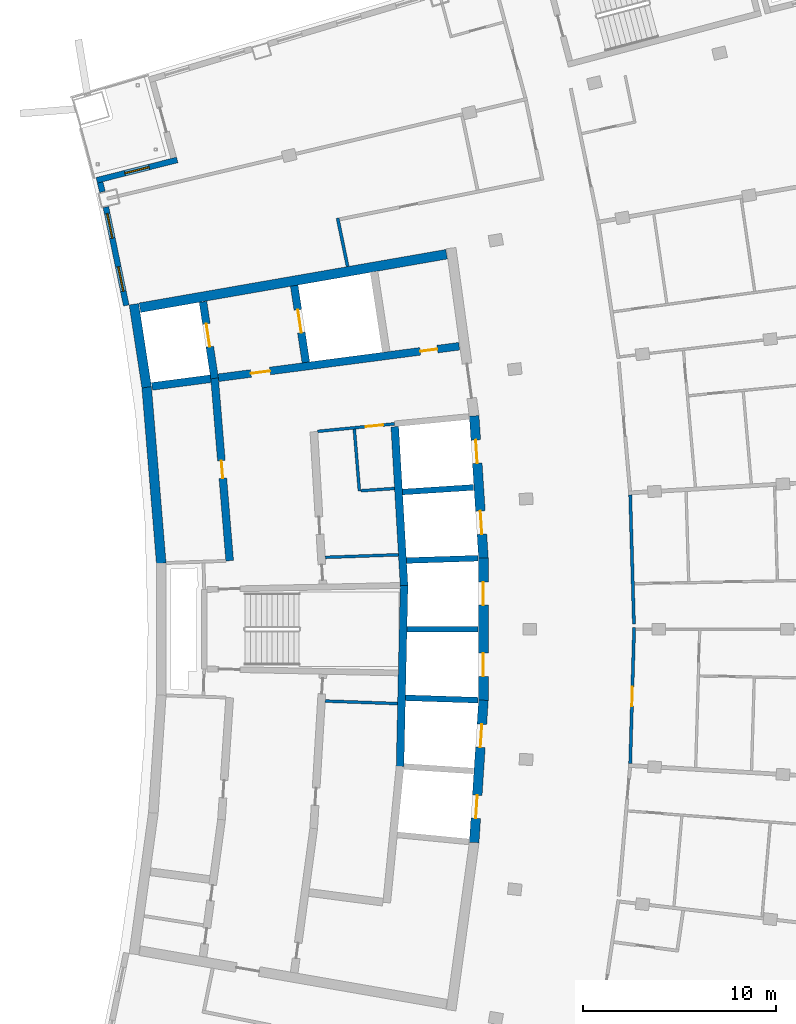
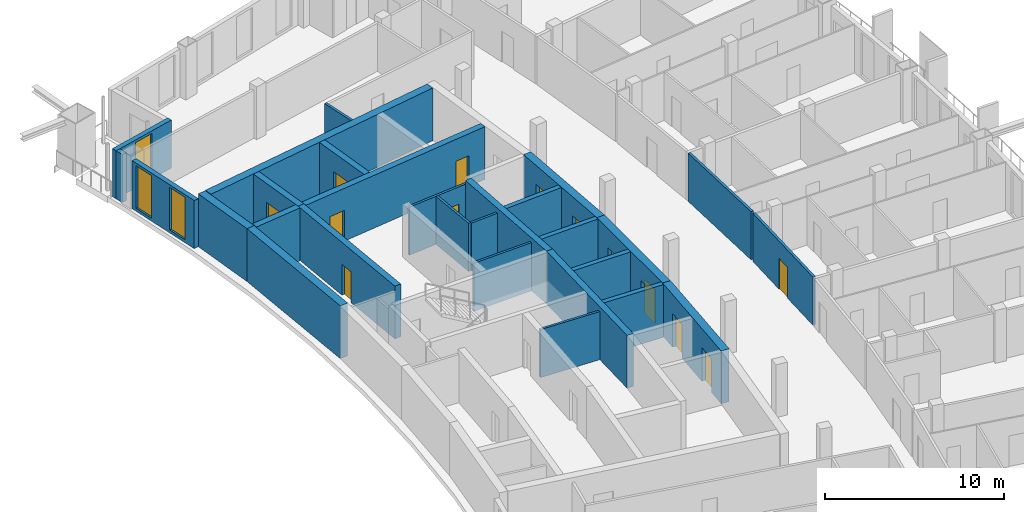
# One storey, part 8 of 15: 28 walls, 13 doors, 3 windows, 16 openings.
"""IFC4 building model written with IfcOpenShell, lengths in metres."""

from ifc_helpers import new_model, si_unit, direction, frame, frame_2d, origin, place, context, subcontext, project, spatial, rectangle, extrude, material, layer, layer_set, type_object, element, fill, save


model = new_model("IFC4")

# Units and contexts
model_context = context("Model", 3, precision=1e-05, world=origin(), true_north=direction((0.0, 1.0)))
body_context = subcontext(model_context, "Body", "Model", "MODEL_VIEW")
ifc_project = project(units=[si_unit("LENGTHUNIT", "METRE"), si_unit("AREAUNIT", "SQUARE_METRE"), si_unit("VOLUMEUNIT", "CUBIC_METRE"), si_unit("PLANEANGLEUNIT", "RADIAN"), si_unit("MASSUNIT", "GRAM", prefix="KILO")], contexts=[model_context])

# Site, building, storey
site_placement = place(None, origin())
site = spatial("IfcSite", under=ifc_project, at=site_placement, CompositionType="ELEMENT")
building_placement = place(site_placement, origin())
building = spatial("IfcBuilding", under=site, at=building_placement, Name="Alderwake Tower", CompositionType="ELEMENT")
storey_placement = place(building_placement, frame((0.0, 0.0, 285.199951171875)))
storey = spatial("IfcBuildingStorey", under=building, at=storey_placement, Name="L71", CompositionType="ELEMENT", Elevation=285.199951171875)

# Walls
ifc_material_1 = material(Name="Gypsum shaft wall system, rated")
ifc_layer_1 = layer(ifc_material_1, 0.14990234375)
ifc_layer_set_1 = layer_set([ifc_layer_1], Name="Core riser partition 150")
wall_type_1 = type_object("IfcWallType", Name="Core riser partition 150", PredefinedType="PARTITIONING", material=ifc_layer_set_1)
wall_1_placement = place(storey_placement, frame((25.1904296875, 57.276611328125, 0.0), z_axis=(0.0, 0.0, 1.0), x_axis=(0.99937350076, -0.035392173974, 0.0)))
element("IfcWall", 1, at=wall_1_placement, inside=storey, type_object=wall_type_1, Name="CW/L71/PR-37_+86", PredefinedType="PARTITIONING", context=body_context, shape_type="SweptSolid", body=[
    extrude(rectangle(XDim=3.752685546875, YDim=0.14990234375, at=frame_2d((1.87646484375, 0.0))), origin(), (0.0, 0.0, 1.0), 3.280029296875),
])
wall_2_placement = place(storey_placement, frame((25.191162109375, 64.723388671875, 0.0), z_axis=(0.0, 0.0, 1.0), x_axis=(0.999373627871, 0.035388584556, 0.0)))
element("IfcWall", 2, at=wall_2_placement, inside=storey, type_object=wall_type_1, Name="CW/L71/PR+37_+86", PredefinedType="PARTITIONING", context=body_context, shape_type="SweptSolid", body=[
    extrude(rectangle(XDim=3.79443359375, YDim=0.14990234375, at=frame_2d((1.897216796875, 0.0))), origin(), (0.0, 0.0, 1.0), 3.280029296875),
])
ifc_material_2 = material(Name="Gypsum shaft wall system, rated")
ifc_layer_2 = layer(ifc_material_2, 0.14990234375)
ifc_layer_set_2 = layer_set([ifc_layer_2], Name="Core room partition 150")
wall_type_2 = type_object("IfcWallType", Name="Core room partition 150", PredefinedType="PARTITIONING", material=ifc_layer_set_2)
wall_3_placement = place(storey_placement, frame((26.9599609375, 68.170654296875, 0.0), z_axis=(0.0, 0.0, 1.0), x_axis=(-0.081803626558, 0.996648466954, 0.0)))
element("IfcWall", 3, at=wall_3_placement, inside=storey, type_object=wall_type_2, Name="CW/L71/PA+107_+70", PredefinedType="PARTITIONING", context=body_context, shape_type="SweptSolid", body=[
    extrude(rectangle(XDim=3.205322265625, YDim=0.14990234375, at=frame_2d((1.6025390625, 0.0))), origin(), (0.0, 0.0, 1.0), 3.280029296875),
])
wall_4_placement = place(storey_placement, frame((27.034912109375, 68.175537109375, 0.0), z_axis=(0.0, 0.0, 1.0), x_axis=(0.997757929195, 0.066926188655, 0.0)))
element("IfcWall", 4, at=wall_4_placement, inside=storey, type_object=wall_type_2, Name="CW/L71/PR+70_+107", PredefinedType="PARTITIONING", context=body_context, shape_type="SweptSolid", body=[
    extrude(rectangle(XDim=1.7509765625, YDim=0.14990234375, at=frame_2d((0.87548828125, 0.0))), origin(), (0.0, 0.0, 1.0), 3.280029296875),
])

# Wall, opening, door
wall_5_placement = place(storey_placement, frame((28.780517578125, 71.644287109375, 0.0), z_axis=(0.0, 0.0, 1.0), x_axis=(-0.995250000627, -0.097352125046, 0.0)))
wall_5 = element("IfcWall", 5, at=wall_5_placement, inside=storey, type_object=wall_type_2, Name="CW/L71/PR+102_+86", PredefinedType="PARTITIONING", context=body_context, shape_type="SweptSolid", body=[
    extrude(rectangle(XDim=4.0, YDim=0.14990234375, at=frame_2d((2.0, 0.0))), origin(), (0.0, 0.0, 1.0), 3.280029296875),
])
opening_1_placement = place(wall_5_placement, frame((0.60009765625, 0.0, 0.0)))
opening_1 = element("IfcOpeningElement", 6, at=opening_1_placement, cuts=wall_5, Name="Opening C022", PredefinedType="OPENING", context=body_context, shape_type="SweptSolid", body=[
    extrude(rectangle(XDim=0.89990234375, YDim=2.10009765625, at=frame_2d((0.449951171875, 1.050048828125))), frame((0.0, 0.0849609375, 0.0), z_axis=(0.0, -1.0, 0.0), x_axis=(1.0, 0.0, 0.0)), (0.0, 0.0, 1.0), 0.169921875),
])
ifc_material_3 = material(Name="Painted steel leaf", Category="steel")
door_type_1 = type_object("IfcDoorType", Name="Core room door 900", OperationType="SINGLE_SWING_LEFT", PredefinedType="DOOR", material=ifc_material_3)
door_1_placement = place(opening_1_placement, origin())
door_1 = element("IfcDoor", 7, at=door_1_placement, inside=storey, type_object=door_type_1, Name="Room door", OperationType="SINGLE_SWING_LEFT", OverallHeight=2.10009765625, OverallWidth=0.89990234375, PredefinedType="DOOR", context=body_context, shape_type="SweptSolid", body=[
    extrude(rectangle(XDim=0.89990234375, YDim=2.10009765625, at=frame_2d((0.449951171875, 1.050048828125))), frame((0.0, 0.02490234375, 0.0), z_axis=(0.0, -1.0, 0.0), x_axis=(1.0, 0.0, 0.0)), (0.0, 0.0, 1.0), 0.050048828125),
])
fill(opening_1, door_1)

# Walls
ifc_material_4 = material(Name="Concrete C70/85", Category="concrete")
ifc_layer_3 = layer(ifc_material_4, 0.5)
ifc_layer_set_3 = layer_set([ifc_layer_3], Name="Core wall outer 500 C70-85")
wall_type_3 = type_object("IfcWallType", Name="Core wall outer 500 C70-85", PredefinedType="SHEAR", material=ifc_layer_set_3)
wall_6_placement = place(storey_placement, frame((16.690185546875, 64.41162109375, 0.0), z_axis=(0.0, 0.0, 1.0), x_axis=(-0.082611702064, 0.996581811334, 0.0)))
element("IfcWall", 8, at=wall_6_placement, inside=storey, type_object=wall_type_3, Name="Core wall CW.026", PredefinedType="SHEAR", context=body_context, shape_type="SweptSolid", body=[
    extrude(rectangle(XDim=9.176025390625, YDim=0.5, at=frame_2d((4.587890625, 0.0))), origin(), (0.0, 0.0, 1.0), 3.60009765625),
])
wall_7_placement = place(storey_placement, frame((15.934326171875, 73.5380859375, 0.0), z_axis=(0.0, 0.0, 1.0), x_axis=(-0.151947718368, 0.988388532351, 0.0)))
element("IfcWall", 9, at=wall_7_placement, inside=storey, type_object=wall_type_3, Name="Core wall CW.025", PredefinedType="SHEAR", context=body_context, shape_type="SweptSolid", body=[
    extrude(rectangle(XDim=4.357421875, YDim=0.5, at=frame_2d((2.1787109375, 0.0))), origin(), (0.0, 0.0, 1.0), 3.60009765625),
])

# Wall, openings, doors
wall_8_placement = place(storey_placement, frame((32.91015625, 49.942138671875, 0.0), z_axis=(0.0, 0.0, 1.0), x_axis=(0.064980500916, 0.997886533881, 0.0)))
wall_8 = element("IfcWall", 10, at=wall_8_placement, inside=storey, type_object=wall_type_3, Name="Core wall CW.021", PredefinedType="SHEAR", context=body_context, shape_type="SweptSolid", body=[
    extrude(rectangle(XDim=7.39404296875, YDim=0.5, at=frame_2d((3.697021484375, 0.0))), origin(), (0.0, 0.0, 1.0), 3.60009765625),
])
opening_2_placement = place(wall_8_placement, frame((1.253173828125, 0.0, 0.0)))
opening_2 = element("IfcOpeningElement", 11, at=opening_2_placement, cuts=wall_8, Name="Opening LD-HP1", PredefinedType="OPENING", context=body_context, shape_type="SweptSolid", body=[
    extrude(rectangle(XDim=1.199951171875, YDim=2.300048828125, at=frame_2d((0.60009765625, 1.14990234375))), frame((0.0, 0.260009765625, 0.0), z_axis=(0.0, -1.0, 0.0), x_axis=(1.0, 0.0, 0.0)), (0.0, 0.0, 1.0), 0.52001953125),
])
opening_3_placement = place(wall_8_placement, frame((4.941650390625, 0.0, 0.0)))
opening_3 = element("IfcOpeningElement", 12, at=opening_3_placement, cuts=wall_8, Name="Opening LD-HP2", PredefinedType="OPENING", context=body_context, shape_type="SweptSolid", body=[
    extrude(rectangle(XDim=1.199951171875, YDim=2.300048828125, at=frame_2d((0.60009765625, 1.14990234375))), frame((0.0, 0.260009765625, 0.0), z_axis=(0.0, -1.0, 0.0), x_axis=(1.0, 0.0, 0.0)), (0.0, 0.0, 1.0), 0.52001953125),
])
ifc_material_5 = material(Name="Stainless steel sliding leaf", Category="steel")
door_type_2 = type_object("IfcDoorType", Name="Lift landing door 1200", OperationType="SLIDING_TO_LEFT", PredefinedType="DOOR", material=ifc_material_5)
door_2_placement = place(opening_2_placement, origin())
door_2 = element("IfcDoor", 13, at=door_2_placement, inside=storey, type_object=door_type_2, Name="Lift landing door HP1", OperationType="SLIDING_TO_LEFT", OverallHeight=2.300048828125, OverallWidth=1.199951171875, PredefinedType="DOOR", context=body_context, shape_type="SweptSolid", body=[
    extrude(rectangle(XDim=1.199951171875, YDim=2.300048828125, at=frame_2d((0.60009765625, 1.14990234375))), frame((0.0, 0.02490234375, 0.0), z_axis=(0.0, -1.0, 0.0), x_axis=(1.0, 0.0, 0.0)), (0.0, 0.0, 1.0), 0.050048828125),
])
fill(opening_2, door_2)
door_3_placement = place(opening_3_placement, origin())
door_3 = element("IfcDoor", 14, at=door_3_placement, inside=storey, type_object=door_type_2, Name="Lift landing door HP2", OperationType="SLIDING_TO_LEFT", OverallHeight=2.300048828125, OverallWidth=1.199951171875, PredefinedType="DOOR", context=body_context, shape_type="SweptSolid", body=[
    extrude(rectangle(XDim=1.199951171875, YDim=2.300048828125, at=frame_2d((0.60009765625, 1.14990234375))), frame((0.0, 0.02490234375, 0.0), z_axis=(0.0, -1.0, 0.0), x_axis=(1.0, 0.0, 0.0)), (0.0, 0.0, 1.0), 0.050048828125),
])
fill(opening_3, door_3)

wall_9_placement = place(storey_placement, frame((33.389892578125, 57.30322265625, 0.0), z_axis=(0.0, 0.0, 1.0), x_axis=(0.0, 1.0, 0.0)))
wall_9 = element("IfcWall", 15, at=wall_9_placement, inside=storey, type_object=wall_type_3, Name="Core wall CW.023", PredefinedType="SHEAR", context=body_context, shape_type="SweptSolid", body=[
    extrude(rectangle(XDim=7.3935546875, YDim=0.5, at=frame_2d((3.69677734375, 0.0))), origin(), (0.0, 0.0, 1.0), 3.60009765625),
])
opening_4_placement = place(wall_9_placement, frame((1.25244140625, 0.0, 0.0)))
opening_4 = element("IfcOpeningElement", 16, at=opening_4_placement, cuts=wall_9, Name="Opening LD-HP3", PredefinedType="OPENING", context=body_context, shape_type="SweptSolid", body=[
    extrude(rectangle(XDim=1.199951171875, YDim=2.300048828125, at=frame_2d((0.60009765625, 1.14990234375))), frame((0.0, 0.260009765625, 0.0), z_axis=(0.0, -1.0, 0.0), x_axis=(1.0, 0.0, 0.0)), (0.0, 0.0, 1.0), 0.52001953125),
])
opening_5_placement = place(wall_9_placement, frame((4.94091796875, 0.0, 0.0)))
opening_5 = element("IfcOpeningElement", 17, at=opening_5_placement, cuts=wall_9, Name="Opening LD-HP4", PredefinedType="OPENING", context=body_context, shape_type="SweptSolid", body=[
    extrude(rectangle(XDim=1.199951171875, YDim=2.300048828125, at=frame_2d((0.60009765625, 1.14990234375))), frame((0.0, 0.260009765625, 0.0), z_axis=(0.0, -1.0, 0.0), x_axis=(1.0, 0.0, 0.0)), (0.0, 0.0, 1.0), 0.52001953125),
])
door_4_placement = place(opening_4_placement, origin())
door_4 = element("IfcDoor", 18, at=door_4_placement, inside=storey, type_object=door_type_2, Name="Lift landing door HP3", OperationType="SLIDING_TO_LEFT", OverallHeight=2.300048828125, OverallWidth=1.199951171875, PredefinedType="DOOR", context=body_context, shape_type="SweptSolid", body=[
    extrude(rectangle(XDim=1.199951171875, YDim=2.300048828125, at=frame_2d((0.60009765625, 1.14990234375))), frame((0.0, 0.02490234375, 0.0), z_axis=(0.0, -1.0, 0.0), x_axis=(1.0, 0.0, 0.0)), (0.0, 0.0, 1.0), 0.050048828125),
])
fill(opening_4, door_4)
door_5_placement = place(opening_5_placement, origin())
door_5 = element("IfcDoor", 19, at=door_5_placement, inside=storey, type_object=door_type_2, Name="Lift landing door HP4", OperationType="SLIDING_TO_LEFT", OverallHeight=2.300048828125, OverallWidth=1.199951171875, PredefinedType="DOOR", context=body_context, shape_type="SweptSolid", body=[
    extrude(rectangle(XDim=1.199951171875, YDim=2.300048828125, at=frame_2d((0.60009765625, 1.14990234375))), frame((0.0, 0.02490234375, 0.0), z_axis=(0.0, -1.0, 0.0), x_axis=(1.0, 0.0, 0.0)), (0.0, 0.0, 1.0), 0.050048828125),
])
fill(opening_5, door_5)

wall_10_placement = place(storey_placement, frame((33.390625, 64.679443359375, 0.0), z_axis=(0.0, 0.0, 1.0), x_axis=(-0.064980500916, 0.997886533881, 0.0)))
wall_10 = element("IfcWall", 20, at=wall_10_placement, inside=storey, type_object=wall_type_3, Name="Core wall CW.020", PredefinedType="SHEAR", context=body_context, shape_type="SweptSolid", body=[
    extrude(rectangle(XDim=7.39404296875, YDim=0.5, at=frame_2d((3.697021484375, 0.0))), origin(), (0.0, 0.0, 1.0), 3.60009765625),
])
opening_6_placement = place(wall_10_placement, frame((1.25244140625, 0.0, 0.0)))
opening_6 = element("IfcOpeningElement", 21, at=opening_6_placement, cuts=wall_10, Name="Opening LD-HP5", PredefinedType="OPENING", context=body_context, shape_type="SweptSolid", body=[
    extrude(rectangle(XDim=1.199951171875, YDim=2.300048828125, at=frame_2d((0.60009765625, 1.14990234375))), frame((0.0, 0.260009765625, 0.0), z_axis=(0.0, -1.0, 0.0), x_axis=(1.0, 0.0, 0.0)), (0.0, 0.0, 1.0), 0.52001953125),
])
opening_7_placement = place(wall_10_placement, frame((4.94091796875, 0.0, 0.0)))
opening_7 = element("IfcOpeningElement", 22, at=opening_7_placement, cuts=wall_10, Name="Opening LD-HP6", PredefinedType="OPENING", context=body_context, shape_type="SweptSolid", body=[
    extrude(rectangle(XDim=1.199951171875, YDim=2.300048828125, at=frame_2d((0.60009765625, 1.14990234375))), frame((0.0, 0.260009765625, 0.0), z_axis=(0.0, -1.0, 0.0), x_axis=(1.0, 0.0, 0.0)), (0.0, 0.0, 1.0), 0.52001953125),
])
door_6_placement = place(opening_6_placement, origin())
door_6 = element("IfcDoor", 23, at=door_6_placement, inside=storey, type_object=door_type_2, Name="Lift landing door HP5", OperationType="SLIDING_TO_LEFT", OverallHeight=2.300048828125, OverallWidth=1.199951171875, PredefinedType="DOOR", context=body_context, shape_type="SweptSolid", body=[
    extrude(rectangle(XDim=1.199951171875, YDim=2.300048828125, at=frame_2d((0.60009765625, 1.14990234375))), frame((0.0, 0.02490234375, 0.0), z_axis=(0.0, -1.0, 0.0), x_axis=(1.0, 0.0, 0.0)), (0.0, 0.0, 1.0), 0.050048828125),
])
fill(opening_6, door_6)
door_7_placement = place(opening_7_placement, origin())
door_7 = element("IfcDoor", 24, at=door_7_placement, inside=storey, type_object=door_type_2, Name="Lift landing door HP6", OperationType="SLIDING_TO_LEFT", OverallHeight=2.300048828125, OverallWidth=1.199951171875, PredefinedType="DOOR", context=body_context, shape_type="SweptSolid", body=[
    extrude(rectangle(XDim=1.199951171875, YDim=2.300048828125, at=frame_2d((0.60009765625, 1.14990234375))), frame((0.0, 0.02490234375, 0.0), z_axis=(0.0, -1.0, 0.0), x_axis=(1.0, 0.0, 0.0)), (0.0, 0.0, 1.0), 0.050048828125),
])
fill(opening_7, door_7)

# Walls
wall_11_placement = place(storey_placement, frame((15.583251953125, 77.664306640625, 0.0), z_axis=(0.0, 0.0, 1.0), x_axis=(0.985139146221, 0.171758151429, 0.0)))
element("IfcWall", 25, at=wall_11_placement, inside=storey, type_object=wall_type_3, Name="Core wall CW.055", PredefinedType="SHEAR", context=body_context, shape_type="SweptSolid", body=[
    extrude(rectangle(XDim=16.134521484375, YDim=0.5, at=frame_2d((8.0673828125, 0.0))), origin(), (0.0, 0.0, 1.0), 3.60009765625),
])
ifc_material_6 = material(Name="Concrete C70/85", Category="concrete")
ifc_layer_4 = layer(ifc_material_6, 0.300048828125)
ifc_layer_set_4 = layer_set([ifc_layer_4], Name="Core wall shaft 300 C70-85")
wall_type_4 = type_object("IfcWallType", Name="Core wall shaft 300 C70-85", PredefinedType="SHEAR", material=ifc_layer_set_4)
wall_12_placement = place(storey_placement, frame((29.347412109375, 57.443603515625, 0.0), z_axis=(0.0, 0.0, 1.0), x_axis=(0.99946995342, -0.032554757112, 0.0)))
element("IfcWall", 26, at=wall_12_placement, inside=storey, type_object=wall_type_4, Name="Core wall CW.075", PredefinedType="SHEAR", context=body_context, shape_type="SweptSolid", body=[
    extrude(rectangle(XDim=3.7646484375, YDim=0.300048828125, at=frame_2d((1.88232421875, 0.0))), origin(), (0.0, 0.0, 1.0), 3.60009765625),
])
wall_13_placement = place(storey_placement, frame((29.426025390625, 61.0, 0.0), z_axis=(0.0, 0.0, 1.0), x_axis=(1.0, 0.0, 0.0)))
element("IfcWall", 27, at=wall_13_placement, inside=storey, type_object=wall_type_4, Name="Core wall CW.048", PredefinedType="SHEAR", context=body_context, shape_type="SweptSolid", body=[
    extrude(rectangle(XDim=3.68408203125, YDim=0.300048828125, at=frame_2d((1.842041015625, 0.0))), origin(), (0.0, 0.0, 1.0), 3.60009765625),
])
wall_14_placement = place(storey_placement, frame((29.401611328125, 64.558349609375, 0.0), z_axis=(0.0, 0.0, 1.0), x_axis=(0.99947159852, 0.032504211301, 0.0)))
element("IfcWall", 28, at=wall_14_placement, inside=storey, type_object=wall_type_4, Name="Core wall CW.058", PredefinedType="SHEAR", context=body_context, shape_type="SweptSolid", body=[
    extrude(rectangle(XDim=3.71044921875, YDim=0.300048828125, at=frame_2d((1.855224609375, 0.0))), origin(), (0.0, 0.0, 1.0), 3.60009765625),
])
wall_15_placement = place(storey_placement, frame((29.193603515625, 68.110595703125, 0.0), z_axis=(0.0, 0.0, 1.0), x_axis=(0.997885994006, 0.064988791085, 0.0)))
element("IfcWall", 29, at=wall_15_placement, inside=storey, type_object=wall_type_4, Name="Core wall CW.061", PredefinedType="SHEAR", context=body_context, shape_type="SweptSolid", body=[
    extrude(rectangle(XDim=3.685302734375, YDim=0.300048828125, at=frame_2d((1.8427734375, 0.0))), origin(), (0.0, 0.0, 1.0), 3.60009765625),
])

# Wall, opening, door
ifc_material_7 = material(Name="Concrete C70/85", Category="concrete")
ifc_layer_5 = layer(ifc_material_7, 0.39990234375)
ifc_layer_set_5 = layer_set([ifc_layer_5], Name="Core wall spine 400 C70-85")
wall_type_5 = type_object("IfcWallType", Name="Core wall spine 400 C70-85", PredefinedType="SHEAR", material=ifc_layer_set_5)
wall_16_placement = place(storey_placement, frame((19.452392578125, 74.014892578125, 0.0), z_axis=(0.0, 0.0, 1.0), x_axis=(0.082628585297, -0.996580411654, 0.0)))
wall_16 = element("IfcWall", 30, at=wall_16_placement, inside=storey, type_object=wall_type_5, Name="Core wall CW.031", PredefinedType="SHEAR", context=body_context, shape_type="SweptSolid", body=[
    extrude(rectangle(XDim=9.499267578125, YDim=0.39990234375, at=frame_2d((4.74951171875, 0.0))), origin(), (0.0, 0.0, 1.0), 3.60009765625),
])
opening_8_placement = place(wall_16_placement, frame((4.30322265625, 0.0, 0.0)))
opening_8 = element("IfcOpeningElement", 31, at=opening_8_placement, cuts=wall_16, Name="Opening C051", PredefinedType="OPENING", context=body_context, shape_type="SweptSolid", body=[
    extrude(rectangle(XDim=0.89990234375, YDim=2.10009765625, at=frame_2d((0.449951171875, 1.050048828125))), frame((0.0, 0.2099609375, 0.0), z_axis=(0.0, -1.0, 0.0), x_axis=(1.0, 0.0, 0.0)), (0.0, 0.0, 1.0), 0.419921875),
])
door_8_placement = place(opening_8_placement, origin())
door_8 = element("IfcDoor", 32, at=door_8_placement, inside=storey, type_object=door_type_1, Name="Room door", OperationType="SINGLE_SWING_RIGHT", OverallHeight=2.10009765625, OverallWidth=0.89990234375, PredefinedType="DOOR", context=body_context, shape_type="SweptSolid", body=[
    extrude(rectangle(XDim=0.89990234375, YDim=2.10009765625, at=frame_2d((0.449951171875, 1.050048828125))), frame((0.0, 0.02490234375, 0.0), z_axis=(0.0, -1.0, 0.0), x_axis=(1.0, 0.0, 0.0)), (0.0, 0.0, 1.0), 0.050048828125),
])
fill(opening_8, door_8)

wall_17_placement = place(storey_placement, frame((19.4541015625, 74.00048828125, 0.0), z_axis=(0.0, 0.0, 1.0), x_axis=(-0.149461330246, 0.988767571657, 0.0)))
wall_17 = element("IfcWall", 33, at=wall_17_placement, inside=storey, type_object=wall_type_5, Name="Core wall CW.030", PredefinedType="SHEAR", context=body_context, shape_type="SweptSolid", body=[
    extrude(rectangle(XDim=4.01513671875, YDim=0.39990234375, at=frame_2d((2.007568359375, 0.0))), origin(), (0.0, 0.0, 1.0), 3.60009765625),
])
opening_9_placement = place(wall_17_placement, frame((1.6611328125, 0.0, 0.0)))
opening_9 = element("IfcOpeningElement", 34, at=opening_9_placement, cuts=wall_17, Name="Opening LD-FF1", PredefinedType="OPENING", context=body_context, shape_type="SweptSolid", body=[
    extrude(rectangle(XDim=1.199951171875, YDim=2.300048828125, at=frame_2d((0.60009765625, 1.14990234375))), frame((0.0, 0.2099609375, 0.0), z_axis=(0.0, -1.0, 0.0), x_axis=(1.0, 0.0, 0.0)), (0.0, 0.0, 1.0), 0.419921875),
])
door_9_placement = place(opening_9_placement, origin())
door_9 = element("IfcDoor", 35, at=door_9_placement, inside=storey, type_object=door_type_2, Name="Lift landing door FF1", OperationType="SLIDING_TO_LEFT", OverallHeight=2.300048828125, OverallWidth=1.199951171875, PredefinedType="DOOR", context=body_context, shape_type="SweptSolid", body=[
    extrude(rectangle(XDim=1.199951171875, YDim=2.300048828125, at=frame_2d((0.60009765625, 1.14990234375))), frame((0.0, 0.02490234375, 0.0), z_axis=(0.0, -1.0, 0.0), x_axis=(1.0, 0.0, 0.0)), (0.0, 0.0, 1.0), 0.050048828125),
])
fill(opening_9, door_9)

wall_18_placement = place(storey_placement, frame((24.186279296875, 74.82861328125, 0.0), z_axis=(0.0, 0.0, 1.0), x_axis=(-0.150547717109, 0.988602743711, 0.0)))
wall_18 = element("IfcWall", 36, at=wall_18_placement, inside=storey, type_object=wall_type_5, Name="Core wall CW.044", PredefinedType="SHEAR", context=body_context, shape_type="SweptSolid", body=[
    extrude(rectangle(XDim=4.0234375, YDim=0.39990234375, at=frame_2d((2.01171875, 0.0))), origin(), (0.0, 0.0, 1.0), 3.60009765625),
])
opening_10_placement = place(wall_18_placement, frame((1.561767578125, 0.0, 0.0)))
opening_10 = element("IfcOpeningElement", 37, at=opening_10_placement, cuts=wall_18, Name="Opening LD-FF2", PredefinedType="OPENING", context=body_context, shape_type="SweptSolid", body=[
    extrude(rectangle(XDim=1.199951171875, YDim=2.300048828125, at=frame_2d((0.60009765625, 1.14990234375))), frame((0.0, 0.2099609375, 0.0), z_axis=(0.0, -1.0, 0.0), x_axis=(1.0, 0.0, 0.0)), (0.0, 0.0, 1.0), 0.419921875),
])
door_10_placement = place(opening_10_placement, origin())
door_10 = element("IfcDoor", 38, at=door_10_placement, inside=storey, type_object=door_type_2, Name="Lift landing door FF2", OperationType="SLIDING_TO_LEFT", OverallHeight=2.300048828125, OverallWidth=1.199951171875, PredefinedType="DOOR", context=body_context, shape_type="SweptSolid", body=[
    extrude(rectangle(XDim=1.199951171875, YDim=2.300048828125, at=frame_2d((0.60009765625, 1.14990234375))), frame((0.0, 0.02490234375, 0.0), z_axis=(0.0, -1.0, 0.0), x_axis=(1.0, 0.0, 0.0)), (0.0, 0.0, 1.0), 0.050048828125),
])
fill(opening_10, door_10)

# Walls
wall_19_placement = place(storey_placement, frame((29.06884765625, 53.889404296875, 0.0), z_axis=(0.0, 0.0, 1.0), x_axis=(0.022115148322, 0.9997554302, 0.0)))
element("IfcWall", 39, at=wall_19_placement, inside=storey, type_object=wall_type_5, Name="Core wall CW.008", PredefinedType="SHEAR", context=body_context, shape_type="SweptSolid", body=[
    extrude(rectangle(XDim=9.39453125, YDim=0.39990234375, at=frame_2d((4.697265625, 0.0))), origin(), (0.0, 0.0, 1.0), 3.60009765625),
])
wall_20_placement = place(storey_placement, frame((29.27685546875, 63.2646484375, 0.0), z_axis=(0.0, 0.0, 1.0), x_axis=(-0.0584546922, 0.998290062537, 0.0)))
element("IfcWall", 40, at=wall_20_placement, inside=storey, type_object=wall_type_5, Name="Core wall CW.002", PredefinedType="SHEAR", context=body_context, shape_type="SweptSolid", body=[
    extrude(rectangle(XDim=8.24462890625, YDim=0.39990234375, at=frame_2d((4.122314453125, 0.0))), origin(), (0.0, 0.0, 1.0), 3.60009765625),
])
wall_21_placement = place(storey_placement, frame((16.210693359375, 73.583740234375, 0.0), z_axis=(0.0, 0.0, 1.0), x_axis=(0.991560893257, 0.129641794819, 0.0)))
element("IfcWall", 41, at=wall_21_placement, inside=storey, type_object=wall_type_5, Name="Core wall CW.051", PredefinedType="SHEAR", context=body_context, shape_type="SweptSolid", body=[
    extrude(rectangle(XDim=3.069580078125, YDim=0.39990234375, at=frame_2d((1.53466796875, 0.0))), origin(), (0.0, 0.0, 1.0), 3.60009765625),
])

# Wall, openings, doors
wall_22_placement = place(storey_placement, frame((32.132080078125, 75.666015625, 0.0), z_axis=(0.0, 0.0, 1.0), x_axis=(-0.991555139901, -0.129685791576, 0.0)))
wall_22 = element("IfcWall", 42, at=wall_22_placement, inside=storey, type_object=wall_type_5, Name="Core wall CW.052", PredefinedType="SHEAR", context=body_context, shape_type="SweptSolid", body=[
    extrude(rectangle(XDim=12.586669921875, YDim=0.39990234375, at=frame_2d((6.29345703125, 0.0))), origin(), (0.0, 0.0, 1.0), 3.60009765625),
])
opening_11_placement = place(wall_22_placement, frame((9.88720703125, 0.0, 0.0)))
opening_11 = element("IfcOpeningElement", 43, at=opening_11_placement, cuts=wall_22, Name="Opening C002", PredefinedType="OPENING", context=body_context, shape_type="SweptSolid", body=[
    extrude(rectangle(XDim=1.0, YDim=2.10009765625, at=frame_2d((0.5, 1.050048828125))), frame((0.0, 0.2099609375, 0.0), z_axis=(0.0, -1.0, 0.0), x_axis=(1.0, 0.0, 0.0)), (0.0, 0.0, 1.0), 0.419921875),
])
opening_12_placement = place(wall_22_placement, frame((1.13720703125, 0.0, 0.0)))
opening_12 = element("IfcOpeningElement", 44, at=opening_12_placement, cuts=wall_22, Name="Opening C020", PredefinedType="OPENING", context=body_context, shape_type="SweptSolid", body=[
    extrude(rectangle(XDim=0.89990234375, YDim=2.10009765625, at=frame_2d((0.449951171875, 1.050048828125))), frame((0.0, 0.2099609375, 0.0), z_axis=(0.0, -1.0, 0.0), x_axis=(1.0, 0.0, 0.0)), (0.0, 0.0, 1.0), 0.419921875),
])
door_11_placement = place(opening_12_placement, origin())
door_11 = element("IfcDoor", 45, at=door_11_placement, inside=storey, type_object=door_type_1, Name="Room door", OperationType="SINGLE_SWING_RIGHT", OverallHeight=2.10009765625, OverallWidth=0.89990234375, PredefinedType="DOOR", context=body_context, shape_type="SweptSolid", body=[
    extrude(rectangle(XDim=0.89990234375, YDim=2.10009765625, at=frame_2d((0.449951171875, 1.050048828125))), frame((0.0, 0.02490234375, 0.0), z_axis=(0.0, -1.0, 0.0), x_axis=(1.0, 0.0, 0.0)), (0.0, 0.0, 1.0), 0.050048828125),
])
fill(opening_12, door_11)
ifc_material_8 = material(Name="Steel-framed fire door leaf", Category="steel")
door_type_3 = type_object("IfcDoorType", Name="Firefighting lobby door 1000 fire-rated", OperationType="SINGLE_SWING_LEFT", PredefinedType="DOOR", material=ifc_material_8)
door_12_placement = place(opening_11_placement, origin())
door_12 = element("IfcDoor", 46, at=door_12_placement, inside=storey, type_object=door_type_3, Name="Firefighting lobby door", OperationType="SINGLE_SWING_RIGHT", OverallHeight=2.10009765625, OverallWidth=1.0, PredefinedType="DOOR", context=body_context, shape_type="SweptSolid", body=[
    extrude(rectangle(XDim=1.0, YDim=2.10009765625, at=frame_2d((0.5, 1.050048828125))), frame((0.0, 0.02490234375, 0.0), z_axis=(0.0, -1.0, 0.0), x_axis=(1.0, 0.0, 0.0)), (0.0, 0.0, 1.0), 0.050048828125),
])
fill(opening_11, door_12)

# Wall
ifc_material_9 = material(Name="Gypsum board on metal studs, rated")
ifc_layer_6 = layer(ifc_material_9, 0.159912109375)
ifc_layer_set_6 = layer_set([ifc_layer_6], Name="Corridor wall 160")
wall_type_6 = type_object("IfcWallType", Name="Corridor wall 160", PredefinedType="PARTITIONING", material=ifc_layer_set_6)
wall_23_placement = place(storey_placement, frame((25.831787109375, 82.305419921875, 0.0), z_axis=(0.0, 0.0, 1.0), x_axis=(0.202450797205, -0.979292435747, 0.0)))
element("IfcWall", 47, at=wall_23_placement, inside=storey, type_object=wall_type_6, Name="WL/L71/W12", PredefinedType="PARTITIONING", context=body_context, shape_type="SweptSolid", body=[
    extrude(rectangle(XDim=2.555419921875, YDim=0.159912109375, at=frame_2d((1.27783203125, 0.0))), origin(), (0.0, 0.0, 1.0), 3.280029296875),
])

# Wall, opening, door
wall_24_placement = place(storey_placement, frame((41.201416015625, 61.0791015625, 0.0), z_axis=(0.0, 0.0, 1.0), x_axis=(-0.028889070526, -0.999582623701, 0.0)))
wall_24 = element("IfcWall", 48, at=wall_24_placement, inside=storey, type_object=wall_type_6, Name="WL/L71/W23", PredefinedType="PARTITIONING", context=body_context, shape_type="SweptSolid", body=[
    extrude(rectangle(XDim=7.048095703125, YDim=0.159912109375, at=frame_2d((3.52392578125, 0.0))), origin(), (0.0, 0.0, 1.0), 3.280029296875),
])
opening_13_placement = place(wall_24_placement, frame((3.0634765625, 0.0, 0.0)))
opening_13 = element("IfcOpeningElement", 49, at=opening_13_placement, cuts=wall_24, Name="Opening R20-U05.1", PredefinedType="OPENING", context=body_context, shape_type="SweptSolid", body=[
    extrude(rectangle(XDim=1.0, YDim=2.10009765625, at=frame_2d((0.5, 1.050048828125))), frame((0.0, 0.08984375, 0.0), z_axis=(0.0, -1.0, 0.0), x_axis=(1.0, 0.0, 0.0)), (0.0, 0.0, 1.0), 0.179931640625),
])
ifc_material_10 = material(Name="Solid timber leaf in steel frame", Category="steel")
door_type_4 = type_object("IfcDoorType", Name="Flat entrance door 1000 fire-rated", OperationType="SINGLE_SWING_LEFT", PredefinedType="DOOR", material=ifc_material_10)
door_13_placement = place(opening_13_placement, origin())
door_13 = element("IfcDoor", 50, at=door_13_placement, inside=storey, type_object=door_type_4, Name="DR/L71/U05.1", OperationType="SINGLE_SWING_LEFT", OverallHeight=2.10009765625, OverallWidth=1.0, PredefinedType="DOOR", context=body_context, shape_type="SweptSolid", body=[
    extrude(rectangle(XDim=1.0, YDim=2.10009765625, at=frame_2d((0.5, 1.050048828125))), frame((0.0, 0.02490234375, 0.0), z_axis=(0.0, -1.0, 0.0), x_axis=(1.0, 0.0, 0.0)), (0.0, 0.0, 1.0), 0.050048828125),
])
fill(opening_13, door_13)

# Walls
wall_25_placement = place(storey_placement, frame((40.997802734375, 67.967041015625, 0.0), z_axis=(0.0, 0.0, 1.0), x_axis=(0.0288778927, -0.99958294669, 0.0)))
element("IfcWall", 51, at=wall_25_placement, inside=storey, type_object=wall_type_6, Name="WL/L71/W25", PredefinedType="PARTITIONING", context=body_context, shape_type="SweptSolid", body=[
    extrude(rectangle(XDim=6.7041015625, YDim=0.159912109375, at=frame_2d((3.35205078125, 0.0))), origin(), (0.0, 0.0, 1.0), 3.280029296875),
])
ifc_material_11 = material(Name="Precast concrete C50/60 spandrel panel", Category="concrete")
ifc_layer_7 = layer(ifc_material_11, 0.300048828125)
ifc_layer_set_7 = layer_set([ifc_layer_7], Name="External wall EW1 Precast concrete C50/60 spandrel")
wall_type_7 = type_object("IfcWallType", Name="External wall EW1 Precast concrete C50/60 spandrel", PredefinedType="SOLIDWALL", material=ifc_layer_set_7)
wall_26_placement = place(storey_placement, frame((13.523193359375, 84.1572265625, 0.0), z_axis=(0.0, 0.0, 1.0), x_axis=(0.238653145818, -0.971104873838, 0.0)))
element("IfcWall", 52, at=wall_26_placement, inside=storey, type_object=wall_type_7, Name="External wall 30", PredefinedType="SOLIDWALL", context=body_context, shape_type="SweptSolid", body=[
    extrude(rectangle(XDim=0.50341796875, YDim=0.300048828125, at=frame_2d((0.251708984375, 0.0))), origin(), (0.0, 0.0, 1.0), 3.280029296875),
])

# Wall, openings, windows
wall_27_placement = place(storey_placement, frame((13.821533203125, 82.879638671875, 0.0), z_axis=(0.0, 0.0, 1.0), x_axis=(0.202760516883, -0.979228355795, 0.0)))
wall_27 = element("IfcWall", 53, at=wall_27_placement, inside=storey, type_object=wall_type_7, Name="External wall 31", PredefinedType="SOLIDWALL", context=body_context, shape_type="SweptSolid", body=[
    extrude(rectangle(XDim=5.211181640625, YDim=0.300048828125, at=frame_2d((2.60546875, 0.0))), origin(), (0.0, 0.0, 1.0), 3.280029296875),
])
opening_14_placement = place(wall_27_placement, frame((0.342041015625, 0.0, 0.199951171875)))
opening_14 = element("IfcOpeningElement", 54, at=opening_14_placement, cuts=wall_27, Name="Opening W1", PredefinedType="OPENING", context=body_context, shape_type="SweptSolid", body=[
    extrude(rectangle(XDim=1.300048828125, YDim=2.89990234375, at=frame_2d((0.64990234375, 1.449951171875))), frame((0.0, 0.159912109375, 0.0), z_axis=(0.0, -1.0, 0.0), x_axis=(1.0, 0.0, 0.0)), (0.0, 0.0, 1.0), 0.320068359375),
])
opening_15_placement = place(wall_27_placement, frame((3.15478515625, 0.0, 0.199951171875)))
opening_15 = element("IfcOpeningElement", 55, at=opening_15_placement, cuts=wall_27, Name="Opening W1", PredefinedType="OPENING", context=body_context, shape_type="SweptSolid", body=[
    extrude(rectangle(XDim=1.300048828125, YDim=2.89990234375, at=frame_2d((0.64990234375, 1.449951171875))), frame((0.0, 0.159912109375, 0.0), z_axis=(0.0, -1.0, 0.0), x_axis=(1.0, 0.0, 0.0)), (0.0, 0.0, 1.0), 0.320068359375),
])
ifc_material_12 = material(Name="Bronze tinted glass in aluminium frame", Category="aluminium")
window_type = type_object("IfcWindowType", Name="Window W1 tall fixed and vent", PartitioningType="DOUBLE_PANEL_VERTICAL", PredefinedType="WINDOW", material=ifc_material_12)
window_1_placement = place(opening_14_placement, origin())
window_1 = element("IfcWindow", 56, at=window_1_placement, inside=storey, type_object=window_type, Name="Window W1 tall fixed and vent", OverallHeight=2.89990234375, OverallWidth=1.300048828125, PartitioningType="DOUBLE_PANEL_VERTICAL", PredefinedType="WINDOW", context=body_context, shape_type="SweptSolid", body=[
    extrude(rectangle(XDim=1.300048828125, YDim=2.89990234375, at=frame_2d((0.64990234375, 1.449951171875))), frame((0.0, 0.030029296875, 0.0), z_axis=(0.0, -1.0, 0.0), x_axis=(1.0, 0.0, 0.0)), (0.0, 0.0, 1.0), 0.06005859375),
])
fill(opening_14, window_1)
window_2_placement = place(opening_15_placement, origin())
window_2 = element("IfcWindow", 57, at=window_2_placement, inside=storey, type_object=window_type, Name="Window W1 tall fixed and vent", OverallHeight=2.89990234375, OverallWidth=1.300048828125, PartitioningType="DOUBLE_PANEL_VERTICAL", PredefinedType="WINDOW", context=body_context, shape_type="SweptSolid", body=[
    extrude(rectangle(XDim=1.300048828125, YDim=2.89990234375, at=frame_2d((0.64990234375, 1.449951171875))), frame((0.0, 0.030029296875, 0.0), z_axis=(0.0, -1.0, 0.0), x_axis=(1.0, 0.0, 0.0)), (0.0, 0.0, 1.0), 0.06005859375),
])
fill(opening_15, window_2)

# Wall, opening, window
ifc_material_13 = material(Name="Bronze metal cladding on lightweight framing")
ifc_layer_8 = layer(ifc_material_13, 0.300048828125)
ifc_layer_set_8 = layer_set([ifc_layer_8], Name="External wall EW2 bronze metal cladding")
wall_type_8 = type_object("IfcWallType", Name="External wall EW2 bronze metal cladding", PredefinedType="SOLIDWALL", material=ifc_layer_set_8)
wall_28_placement = place(storey_placement, frame((17.51611328125, 85.32275390625, 0.0), z_axis=(0.0, 0.0, 1.0), x_axis=(-0.969417740682, -0.245416470617, 0.0)))
wall_28 = element("IfcWall", 58, at=wall_28_placement, inside=storey, type_object=wall_type_8, Name="External wall 29", PredefinedType="SOLIDWALL", context=body_context, shape_type="SweptSolid", body=[
    extrude(rectangle(XDim=4.305419921875, YDim=0.300048828125, at=frame_2d((2.15283203125, 0.0))), origin(), (0.0, 0.0, 1.0), 3.280029296875),
])
opening_16_placement = place(wall_28_placement, frame((1.502685546875, 0.0, 0.199951171875)))
opening_16 = element("IfcOpeningElement", 59, at=opening_16_placement, cuts=wall_28, Name="Opening W1", PredefinedType="OPENING", context=body_context, shape_type="SweptSolid", body=[
    extrude(rectangle(XDim=1.300048828125, YDim=2.89990234375, at=frame_2d((0.64990234375, 1.449951171875))), frame((0.0, 0.159912109375, 0.0), z_axis=(0.0, -1.0, 0.0), x_axis=(1.0, 0.0, 0.0)), (0.0, 0.0, 1.0), 0.320068359375),
])
window_3_placement = place(opening_16_placement, origin())
window_3 = element("IfcWindow", 60, at=window_3_placement, inside=storey, type_object=window_type, Name="Window W1 tall fixed and vent", OverallHeight=2.89990234375, OverallWidth=1.300048828125, PartitioningType="DOUBLE_PANEL_VERTICAL", PredefinedType="WINDOW", context=body_context, shape_type="SweptSolid", body=[
    extrude(rectangle(XDim=1.300048828125, YDim=2.89990234375, at=frame_2d((0.64990234375, 1.449951171875))), frame((0.0, 0.030029296875, 0.0), z_axis=(0.0, -1.0, 0.0), x_axis=(1.0, 0.0, 0.0)), (0.0, 0.0, 1.0), 0.06005859375),
])
fill(opening_16, window_3)

save(model, "model.ifc")
